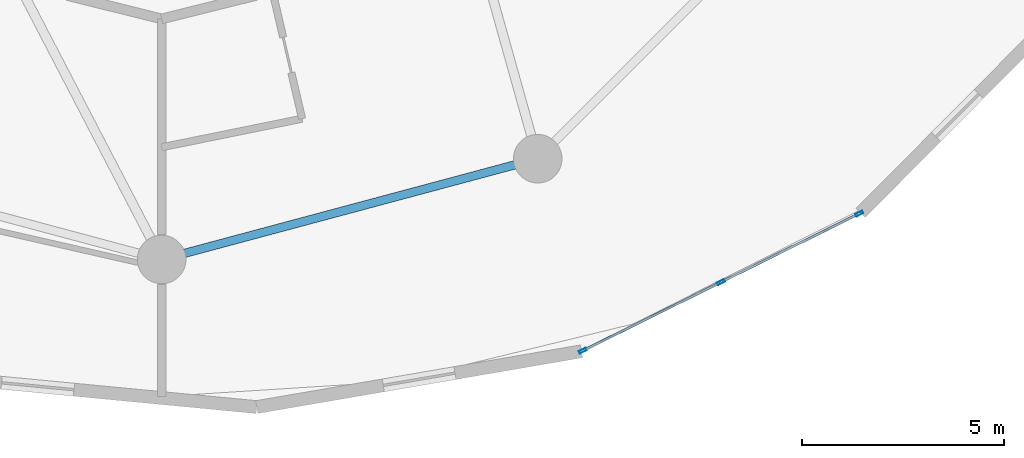
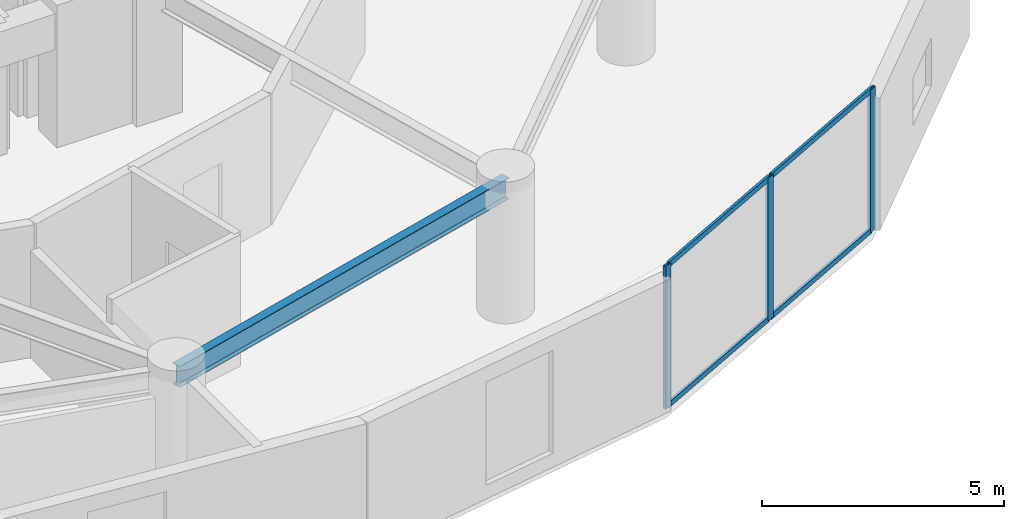
# One storey, part 10 of 22: 7 members, 1 beam, 1 element without a shape of its own.
"""IFC4 building model written with IfcOpenShell, lengths in metres."""

from ifc_helpers import new_model, si_unit, direction, frame, origin, origin_2d, place, context, subcontext, project, spatial, hollow_rectangle, i_section, extrude, source, transform, mapped, material, layer, layer_set, material_profile, profile_set, type_object, element, aggregate, save


model = new_model("IFC4")

# Units and contexts
model_context = context("Model", 3, precision=1e-05, world=origin(), true_north=direction((0.0, 1.0)))
body_context = subcontext(model_context, "Body", "Model", "MODEL_VIEW")
ifc_project = project(units=[si_unit("LENGTHUNIT", "METRE"), si_unit("AREAUNIT", "SQUARE_METRE"), si_unit("VOLUMEUNIT", "CUBIC_METRE"), si_unit("PLANEANGLEUNIT", "RADIAN"), si_unit("MASSUNIT", "GRAM", prefix="KILO")], contexts=[model_context])

# Site, building, storey
site_placement = place(None, origin())
site = spatial("IfcSite", under=ifc_project, at=site_placement, CompositionType="ELEMENT")
building_placement = place(site_placement, origin())
building = spatial("IfcBuilding", under=site, at=building_placement, Name="Solvirekh Grand Hotel", CompositionType="ELEMENT")
storey_placement = place(building_placement, frame((0.0, 0.0, 53.60009765625)))
storey = spatial("IfcBuildingStorey", under=building, at=storey_placement, Name="L12", CompositionType="ELEMENT", Elevation=53.60009765625)

# Beam
ifc_material_1 = material(Name="Steel S355", Category="steel")
ifc_material_profile_1 = material_profile(ifc_material_1, i_section(OverallWidth=0.208984375, OverallDepth=0.532958984375, WebThickness=0.010009765625, FlangeThickness=0.014892578125, FilletRadius=0.013916015625, at=origin_2d()), Name="W530X92")
ifc_profile_set_1 = profile_set([ifc_material_profile_1], Name="Steel S355")
beam_type = type_object("IfcBeamType", Name="Spandrel_Ring_W530", PredefinedType="SPANDREL", material=ifc_profile_set_1)
beam_placement = place(storey_placement, frame((0.0, -18.60009765625, 3.072998046875), z_axis=(0.965919414426, 0.258842973314, 0.0), x_axis=(-0.258842973314, 0.965919414426, 0.0)))
element("IfcBeam", 1, at=beam_placement, inside=storey, type_object=beam_type, Name="L12 perimeter spandrel beam 10", PredefinedType="SPANDREL", context=body_context, shape_type="SweptSolid", body=[
    extrude(i_section(OverallWidth=0.208984375, OverallDepth=0.532958984375, WebThickness=0.010009765625, FlangeThickness=0.014892578125, FilletRadius=0.013916015625, at=origin_2d()), origin(), (0.0, 0.0, 1.0), 9.628173828125),
])

# Curtain wall, members
ifc_material_2 = material(Name="Anodized Bronze Aluminium 6063-T6", Category="aluminium")
ifc_layer = layer(ifc_material_2, 0.18994140625)
ifc_layer_set = layer_set([ifc_layer], Name="Anodized Bronze Aluminium 6063-T6")
curtain_wall_type = type_object("IfcCurtainWallType", Name="CW_Sys2_LowZoneFlushBronzeCW", PredefinedType="NOTDEFINED", material=ifc_layer_set)
curtain_wall_placement = place(storey_placement, origin())
curtain_wall = element("IfcCurtainWall", 2, at=curtain_wall_placement, inside=storey, type_object=curtain_wall_type, Name="L12 unitised bronze-glass curtain wall CW-L12-C18", PredefinedType="NOTDEFINED")
ifc_material_profile_2 = material_profile(ifc_material_2, hollow_rectangle(XDim=0.06005859375, YDim=0.135009765625, WallThickness=0.00390625, at=origin_2d()), Name="ALU RHS 135X60X4")
ifc_profile_set_2 = profile_set([ifc_material_profile_2], Name="Anodized Bronze Aluminium 6063-T6")
member_type_1 = type_object("IfcMemberType", Name="CWTransom_Sys2", PredefinedType="USERDEFINED", material=ifc_profile_set_2)
shared_shape_1 = source(origin(), body_context, "Body", "SweptSolid", [
    extrude(hollow_rectangle(XDim=0.06005859375, YDim=0.135009765625, WallThickness=0.00390625, at=origin_2d()), origin(), (0.0, 0.0, 1.0), 3.74755859375),
])
member_1_placement = place(storey_placement, frame((10.44580078125, -20.8408203125, 0.02978515625), z_axis=(0.895907619223, 0.444240405431, 0.0), x_axis=(-0.444240405431, 0.895907619223, 0.0)))
member_1 = element("IfcMember", 3, at=member_1_placement, type_object=member_type_1, Name="U02 transom 1.1", ObjectType="TRANSOM", PredefinedType="USERDEFINED", context=body_context, shape_type="MappedRepresentation", body=[
    mapped(shared_shape_1, transform((0.0, 0.0, 0.0), x_axis=(1.0, 0.0, 0.0), y_axis=(0.0, 1.0, 0.0), z_axis=(0.0, 0.0, 1.0), scale=1.0)),
])
member_2_placement = place(storey_placement, frame((10.44580078125, -20.8408203125, 3.56982421875), z_axis=(0.895907619223, 0.444240405431, 0.0), x_axis=(-0.444240405431, 0.895907619223, 0.0)))
member_2 = element("IfcMember", 4, at=member_2_placement, type_object=member_type_1, Name="U02 transom 1.2", ObjectType="TRANSOM", PredefinedType="USERDEFINED", context=body_context, shape_type="MappedRepresentation", body=[
    mapped(shared_shape_1, transform((0.0, 0.0, 0.0), x_axis=(1.0, 0.0, 0.0), y_axis=(0.0, 1.0, 0.0), z_axis=(0.0, 0.0, 1.0), scale=1.0)),
])
member_3_placement = place(storey_placement, frame((13.865966796875, -19.14501953125, 0.02978515625), z_axis=(0.895881689873, 0.444292693785, 0.0), x_axis=(-0.444292693785, 0.895881689873, 0.0)))
member_3 = element("IfcMember", 5, at=member_3_placement, type_object=member_type_1, Name="U02 transom 2.1", ObjectType="TRANSOM", PredefinedType="USERDEFINED", context=body_context, shape_type="MappedRepresentation", body=[
    mapped(shared_shape_1, transform((0.0, 0.0, 0.0), x_axis=(1.0, 0.0, 0.0), y_axis=(0.0, 1.0, 0.0), z_axis=(0.0, 0.0, 1.0), scale=1.0)),
])
member_4_placement = place(storey_placement, frame((13.865966796875, -19.14501953125, 3.56982421875), z_axis=(0.895881689873, 0.444292693785, 0.0), x_axis=(-0.444292693785, 0.895881689873, 0.0)))
member_4 = element("IfcMember", 6, at=member_4_placement, type_object=member_type_1, Name="U02 transom 2.2", ObjectType="TRANSOM", PredefinedType="USERDEFINED", context=body_context, shape_type="MappedRepresentation", body=[
    mapped(shared_shape_1, transform((0.0, 0.0, 0.0), x_axis=(1.0, 0.0, 0.0), y_axis=(0.0, 1.0, 0.0), z_axis=(0.0, 0.0, 1.0), scale=1.0)),
])
ifc_material_profile_3 = material_profile(ifc_material_2, hollow_rectangle(XDim=0.070068359375, YDim=0.18994140625, WallThickness=0.0048828125, at=origin_2d()), Name="ALU RHS 190X70X5")
ifc_profile_set_3 = profile_set([ifc_material_profile_3], Name="Anodized Bronze Aluminium 6063-T6")
member_type_2 = type_object("IfcMemberType", Name="CWMullion_Sys2", PredefinedType="MULLION", material=ifc_profile_set_3)
shared_shape_2 = source(origin(), body_context, "Body", "SweptSolid", [
    extrude(hollow_rectangle(XDim=0.070068359375, YDim=0.18994140625, WallThickness=0.0048828125, at=origin_2d()), origin(), (0.0, 0.0, 1.0), 3.599853515625),
])
member_5_placement = place(storey_placement, frame((10.414306640625, -20.8564453125, 0.0), z_axis=(0.0, 0.0, 1.0), x_axis=(-0.444252063325, 0.895901838502, 0.0)))
member_5 = element("IfcMember", 7, at=member_5_placement, type_object=member_type_2, Name="U02 mullion 1", PredefinedType="MULLION", context=body_context, shape_type="MappedRepresentation", body=[
    mapped(shared_shape_2, transform((0.0, 0.0, 0.0), x_axis=(1.0, 0.0, 0.0), y_axis=(0.0, 1.0, 0.0), z_axis=(0.0, 0.0, 1.0), scale=1.0)),
])
member_6_placement = place(storey_placement, frame((13.83447265625, -19.160400390625, 0.0), z_axis=(0.0, 0.0, 1.0), x_axis=(-0.444252063325, 0.895901838502, 0.0)))
member_6 = element("IfcMember", 8, at=member_6_placement, type_object=member_type_2, Name="U02 mullion 2", PredefinedType="MULLION", context=body_context, shape_type="MappedRepresentation", body=[
    mapped(shared_shape_2, transform((0.0, 0.0, 0.0), x_axis=(1.0, 0.0, 0.0), y_axis=(0.0, 1.0, 0.0), z_axis=(0.0, 0.0, 1.0), scale=1.0)),
])
member_7_placement = place(storey_placement, frame((17.254638671875, -17.464599609375, 0.0), z_axis=(0.0, 0.0, 1.0), x_axis=(-0.444252063325, 0.895901838502, 0.0)))
member_7 = element("IfcMember", 9, at=member_7_placement, type_object=member_type_2, Name="U02 mullion 3", PredefinedType="MULLION", context=body_context, shape_type="MappedRepresentation", body=[
    mapped(shared_shape_2, transform((0.0, 0.0, 0.0), x_axis=(1.0, 0.0, 0.0), y_axis=(0.0, 1.0, 0.0), z_axis=(0.0, 0.0, 1.0), scale=1.0)),
])
aggregate(curtain_wall, [member_5, member_6, member_7, member_1, member_2, member_3, member_4])

save(model, "model.ifc")
